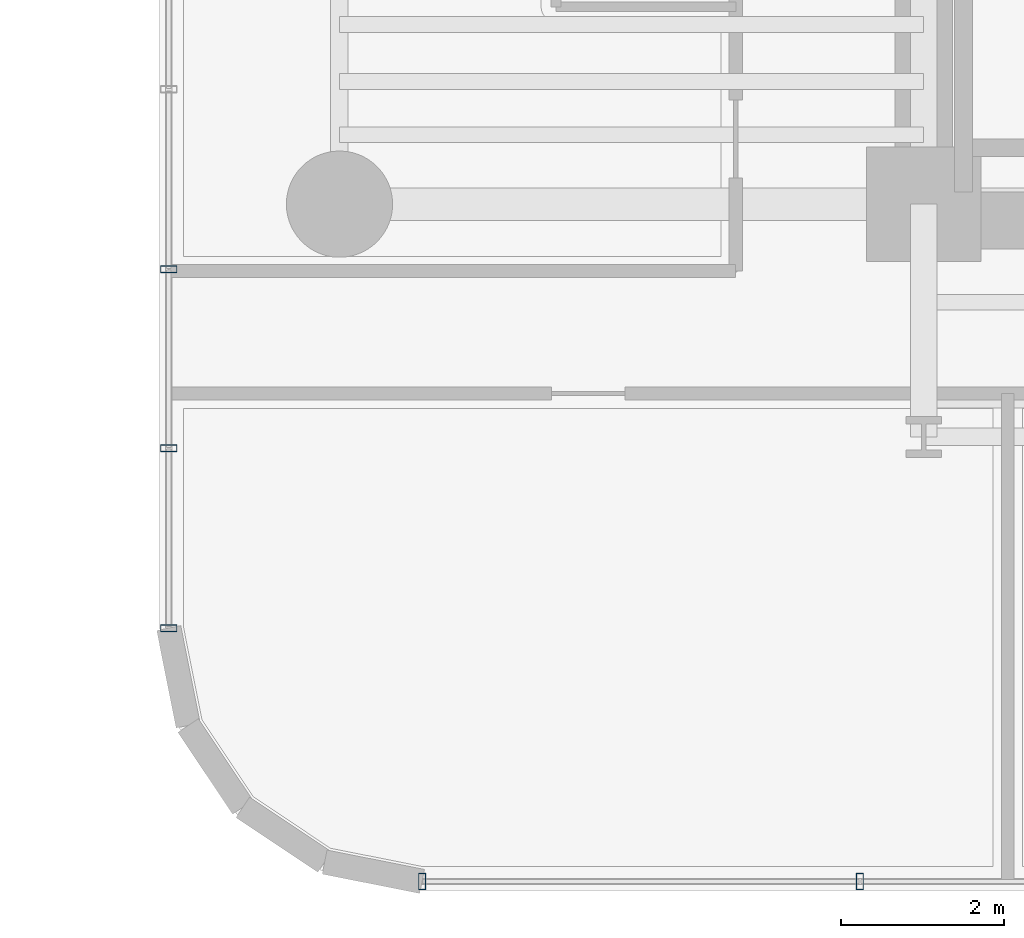
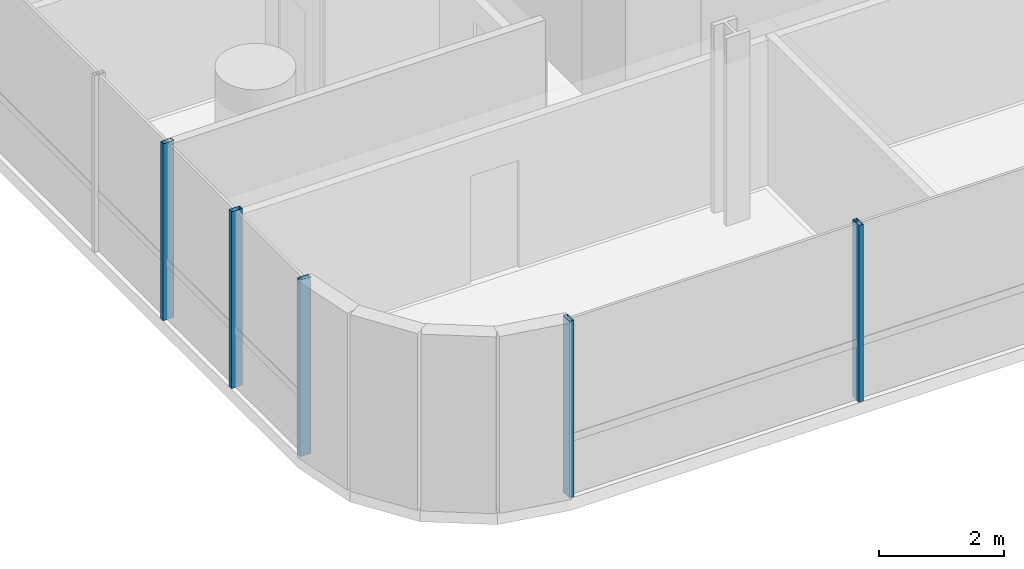
# One storey, part 2 of 39: 5 members, 2 elements without a shape of their own.
"""IFC4 building model written with IfcOpenShell, lengths in metres."""

from ifc_helpers import new_model, si_unit, direction, frame, origin, origin_2d, place, context, subcontext, project, spatial, hollow_rectangle, extrude, source, transform, mapped, material, material_profile, profile_set, type_object, element, aggregate, save


model = new_model("IFC4")

# Units and contexts
model_context = context("Model", 3, precision=1e-05, world=origin(), true_north=direction((0.0, 1.0)))
body_context = subcontext(model_context, "Body", "Model", "MODEL_VIEW")
ifc_project = project(units=[si_unit("LENGTHUNIT", "METRE"), si_unit("AREAUNIT", "SQUARE_METRE"), si_unit("VOLUMEUNIT", "CUBIC_METRE"), si_unit("PLANEANGLEUNIT", "RADIAN"), si_unit("MASSUNIT", "GRAM", prefix="KILO")], contexts=[model_context])

# Site, building, storey
site_placement = place(None, origin())
site = spatial("IfcSite", under=ifc_project, at=site_placement, CompositionType="ELEMENT")
building_placement = place(site_placement, origin())
building = spatial("IfcBuilding", under=site, at=building_placement, Name="Valdorenza Pilgrim Sanctuary Tower", CompositionType="ELEMENT")
storey_placement = place(building_placement, frame((0.0, 0.0, 77.800048828125)))
storey = spatial("IfcBuildingStorey", under=building, at=storey_placement, Name="L19", CompositionType="ELEMENT", Elevation=77.800048828125)

# Curtain wall, member
ifc_material_1 = material(Name="Curtain-wall IGU glazing", Category="glass")
curtain_wall_type = type_object("IfcCurtainWallType", Name="CW-SYS-02", PredefinedType="NOTDEFINED", material=ifc_material_1)
curtain_wall_1_placement = place(storey_placement, origin())
curtain_wall_1 = element("IfcCurtainWall", 1, at=curtain_wall_1_placement, inside=storey, type_object=curtain_wall_type, Name="L19 Curtain Wall CW-L19-1-1S1", PredefinedType="NOTDEFINED")
ifc_material_2 = material(Name="Anodised aluminium AW-6060", Category="aluminium")
ifc_material_profile = material_profile(ifc_material_2, hollow_rectangle(XDim=0.0849609375, YDim=0.199951171875, WallThickness=0.0048828125, at=origin_2d()), Name="ALU-M 200x85x5")
ifc_profile_set = profile_set([ifc_material_profile], Name="Anodised aluminium AW-6060")
member_type = type_object("IfcMemberType", Name="CW-MUL-02", PredefinedType="MULLION", material=ifc_profile_set)
shared_shape = source(origin(), body_context, "Body", "SweptSolid", [
    extrude(hollow_rectangle(XDim=0.0849609375, YDim=0.199951171875, WallThickness=0.0048828125, at=origin_2d()), origin(), (0.0, 0.0, 1.0), 3.4599609375),
])
member_1_placement = place(storey_placement, frame((-31.889892578125, -15.789306640625, 0.0), z_axis=(0.0, 0.0, 1.0), x_axis=(0.0, 1.0, 0.0)))
member_1 = element("IfcMember", 2, at=member_1_placement, type_object=member_type, Name="CW-L19-1-1S1 Mullion 1", PredefinedType="MULLION", context=body_context, shape_type="MappedRepresentation", body=[
    mapped(shared_shape, transform((0.0, 0.0, 0.0), x_axis=(1.0, 0.0, 0.0), y_axis=(0.0, 1.0, 0.0), z_axis=(0.0, 0.0, 1.0), scale=1.0)),
])

# Curtain wall, members
curtain_wall_2_placement = place(storey_placement, origin())
curtain_wall_2 = element("IfcCurtainWall", 3, at=curtain_wall_2_placement, inside=storey, type_object=curtain_wall_type, Name="L19 Curtain Wall CW-L19-1-46", PredefinedType="NOTDEFINED")
member_2_placement = place(storey_placement, frame((-23.4296875, -18.889892578125, 0.0), z_axis=(0.0, 0.0, 1.0), x_axis=(-1.0, 0.0, 0.0)))
member_2 = element("IfcMember", 4, at=member_2_placement, type_object=member_type, Name="CW-L19-1-46 Mullion 3", PredefinedType="MULLION", context=body_context, shape_type="MappedRepresentation", body=[
    mapped(shared_shape, transform((0.0, 0.0, 0.0), x_axis=(1.0, 0.0, 0.0), y_axis=(0.0, 1.0, 0.0), z_axis=(0.0, 0.0, 1.0), scale=1.0)),
])
member_3_placement = place(storey_placement, frame((-28.789306640625, -18.889892578125, 0.0), z_axis=(0.0, 0.0, 1.0), x_axis=(-1.0, 0.0, 0.0)))
member_3 = element("IfcMember", 5, at=member_3_placement, type_object=member_type, Name="CW-L19-1-46 Mullion 4", PredefinedType="MULLION", context=body_context, shape_type="MappedRepresentation", body=[
    mapped(shared_shape, transform((0.0, 0.0, 0.0), x_axis=(1.0, 0.0, 0.0), y_axis=(0.0, 1.0, 0.0), z_axis=(0.0, 0.0, 1.0), scale=1.0)),
])
aggregate(curtain_wall_2, [member_2, member_3])

# Member
member_4_placement = place(storey_placement, frame((-31.889892578125, -13.587646484375, 0.0), z_axis=(0.0, 0.0, 1.0), x_axis=(0.0, 1.0, 0.0)))
member_4 = element("IfcMember", 6, at=member_4_placement, type_object=member_type, Name="CW-L19-1-1S1 Sub-Mullion 33-1", PredefinedType="MULLION", context=body_context, shape_type="MappedRepresentation", body=[
    mapped(shared_shape, transform((0.0, 0.0, 0.0), x_axis=(1.0, 0.0, 0.0), y_axis=(0.0, 1.0, 0.0), z_axis=(0.0, 0.0, 1.0), scale=1.0)),
])

member_5_placement = place(storey_placement, frame((-31.889892578125, -11.39599609375, 0.0), z_axis=(0.0, 0.0, 1.0), x_axis=(0.0, 1.0, 0.0)))
member_5 = element("IfcMember", 7, at=member_5_placement, type_object=member_type, Name="CW-L19-1-1S1 Sub-Mullion 33-2", PredefinedType="MULLION", context=body_context, shape_type="MappedRepresentation", body=[
    mapped(shared_shape, transform((0.0, 0.0, 0.0), x_axis=(1.0, 0.0, 0.0), y_axis=(0.0, 1.0, 0.0), z_axis=(0.0, 0.0, 1.0), scale=1.0)),
])

aggregate(curtain_wall_1, [member_1, member_4, member_5])

save(model, "model.ifc")
